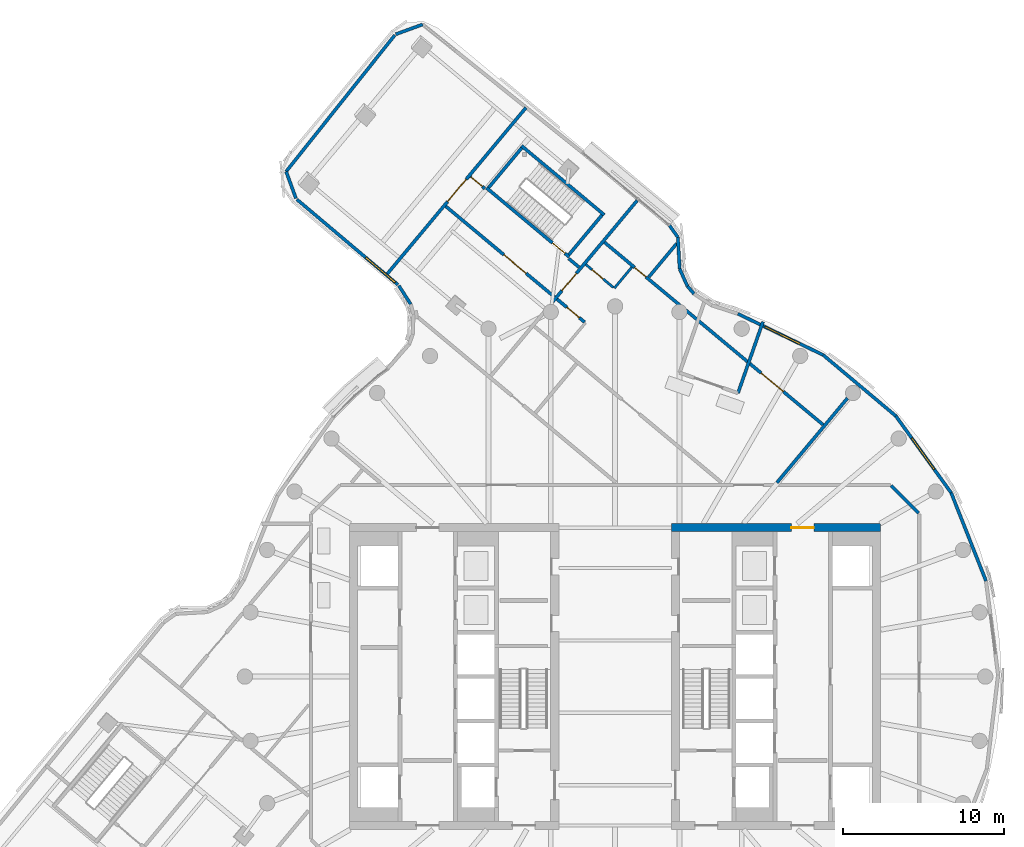
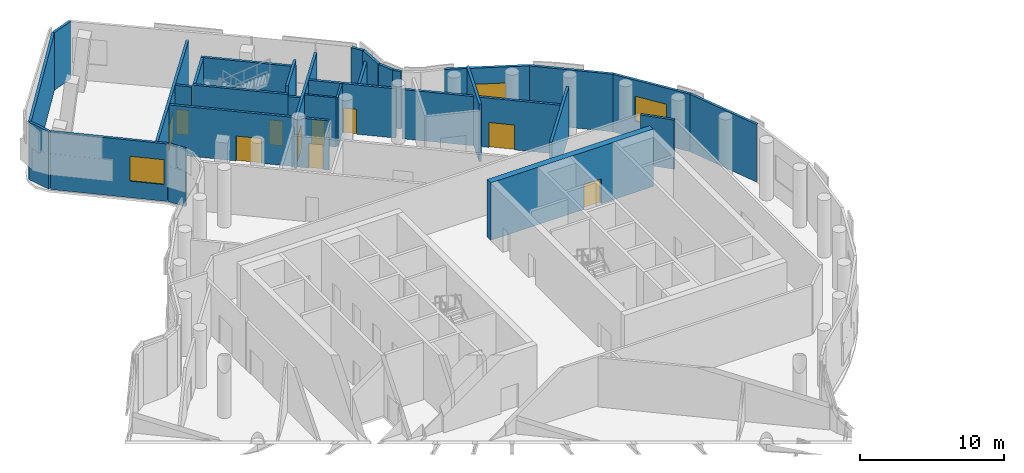
# One storey, part 11 of 19: 31 walls, 10 doors, 3 windows, 13 openings.
"""IFC4 building model written with IfcOpenShell, lengths in metres."""

from ifc_helpers import new_model, si_unit, direction, frame, frame_2d, origin, place, context, subcontext, project, spatial, polyline, rectangle, outline, extrude, material, layer, layer_set, type_object, element, fill, save


model = new_model("IFC4")

# Units and contexts
model_context = context("Model", 3, precision=1e-05, world=origin(), true_north=direction((0.0, 1.0)))
body_context = subcontext(model_context, "Body", "Model", "MODEL_VIEW")
ifc_project = project(units=[si_unit("LENGTHUNIT", "METRE"), si_unit("AREAUNIT", "SQUARE_METRE"), si_unit("VOLUMEUNIT", "CUBIC_METRE"), si_unit("PLANEANGLEUNIT", "RADIAN"), si_unit("MASSUNIT", "GRAM", prefix="KILO")], contexts=[model_context])

# Site, building, storey
site_placement = place(None, origin())
site = spatial("IfcSite", under=ifc_project, at=site_placement, CompositionType="ELEMENT")
building_placement = place(site_placement, origin())
building = spatial("IfcBuilding", under=site, at=building_placement, Name="Tamarind Cross Interchange Tower", CompositionType="ELEMENT")
storey_placement = place(building_placement, frame((0.0, 0.0, 214.89990234375)))
storey = spatial("IfcBuildingStorey", under=building, at=storey_placement, Name="L54", CompositionType="ELEMENT", Elevation=214.89990234375)

# Wall
ifc_material_1 = material(Name="Concrete C40", Category="concrete")
ifc_layer_1 = layer(ifc_material_1, 0.199951171875)
ifc_layer_set_1 = layer_set([ifc_layer_1], Name="Concrete C40")
wall_type_1 = type_object("IfcWallType", Name="Balcony and garden door wall", PredefinedType="SOLIDWALL", material=ifc_layer_set_1)
wall_1_placement = place(storey_placement, frame((7.633544921875, 17.6083984375, 0.0), z_axis=(0.0, 0.0, 1.0), x_axis=(0.330366613527, 0.943852690131, 0.0)))
element("IfcWall", 1, at=wall_1_placement, inside=storey, type_object=wall_type_1, Name="EXW-L54-WG-L54-SNb-R0", PredefinedType="SOLIDWALL", context=body_context, shape_type="SweptSolid", body=[
    extrude(rectangle(XDim=4.7021484375, YDim=0.199951171875, at=frame_2d((2.35107421875, 0.0))), origin(), (0.0, 0.0, 1.0), 4.860107421875),
])

# Wall, opening, door
ifc_material_2 = material(Name="Concrete C55", Category="concrete")
ifc_layer_2 = layer(ifc_material_2, 0.5)
ifc_layer_set_2 = layer_set([ifc_layer_2], Name="Concrete C55")
wall_type_2 = type_object("IfcWallType", Name="Core wall 500 mm Concrete C55", PredefinedType="SHEAR", material=ifc_layer_set_2)
wall_2_placement = place(storey_placement, frame((16.5, 9.25, 0.0), z_axis=(0.0, 0.0, 1.0), x_axis=(-1.0, 0.0, 0.0)))
wall_2 = element("IfcWall", 2, at=wall_2_placement, inside=storey, type_object=wall_type_2, Name="Core wall CWL-L54-E-NE", PredefinedType="SHEAR", context=body_context, shape_type="SweptSolid", body=[
    extrude(rectangle(XDim=13.0, YDim=0.5, at=frame_2d((6.5, 0.0))), origin(), (0.0, 0.0, 1.0), 4.860107421875),
])
opening_1_placement = place(wall_2_placement, frame((4.14990234375, 0.0, 0.0)))
opening_1 = element("IfcOpeningElement", 3, at=opening_1_placement, cuts=wall_2, Name="Opening DCE31", PredefinedType="OPENING", context=body_context, shape_type="SweptSolid", body=[
    extrude(rectangle(XDim=1.39990234375, YDim=2.10009765625, at=frame_2d((0.699951171875, 1.050048828125))), frame((0.0, 0.260009765625, 0.0), z_axis=(0.0, -1.0, 0.0), x_axis=(1.0, 0.0, 0.0)), (0.0, 0.0, 1.0), 0.52001953125),
])
ifc_material_3 = material(Name="Steel, fire-resisting", Category="steel")
door_type_1 = type_object("IfcDoorType", Name="Core fire door 1400 x 2100 FD90", OperationType="SINGLE_SWING_LEFT", PredefinedType="DOOR", material=ifc_material_3)
door_1_placement = place(opening_1_placement, origin())
door_1 = element("IfcDoor", 4, at=door_1_placement, inside=storey, type_object=door_type_1, Name="L54 lift hall exit door", OperationType="SINGLE_SWING_LEFT", OverallHeight=2.10009765625, OverallWidth=1.39990234375, PredefinedType="DOOR", context=body_context, shape_type="SweptSolid", body=[
    extrude(rectangle(XDim=1.39990234375, YDim=2.10009765625, at=frame_2d((0.699951171875, 1.050048828125))), frame((0.0, 0.02490234375, 0.0), z_axis=(0.0, -1.0, 0.0), x_axis=(1.0, 0.0, 0.0)), (0.0, 0.0, 1.0), 0.050048828125),
])
fill(opening_1, door_1)

ifc_material_4 = material(Name="Gypsum board partition on steel studs", Category="steel")
ifc_layer_3 = layer(ifc_material_4, 0.14990234375)
ifc_layer_set_3 = layer_set([ifc_layer_3], Name="Gypsum board partition on steel studs")
wall_type_3 = type_object("IfcWallType", Name="Partition 150 mm EI 120", PredefinedType="PARTITIONING", material=ifc_layer_set_3)
wall_3_placement = place(storey_placement, frame((-1.815185546875, 25.598876953125, 0.0), z_axis=(0.0, 0.0, 1.0), x_axis=(0.767616896799, -0.640908963698, 0.0)))
wall_3 = element("IfcWall", 5, at=wall_3_placement, inside=storey, type_object=wall_type_3, Name="Partition L54-017", PredefinedType="PARTITIONING", context=body_context, shape_type="SweptSolid", body=[
    extrude(rectangle(XDim=2.2197265625, YDim=0.14990234375, at=frame_2d((1.10986328125, 0.0))), origin(), (0.0, 0.0, 1.0), 4.16015625),
])
opening_2_placement = place(wall_3_placement, frame((0.5, 0.0, 0.0)))
opening_2 = element("IfcOpeningElement", 6, at=opening_2_placement, cuts=wall_3, Name="Opening D10", PredefinedType="OPENING", context=body_context, shape_type="SweptSolid", body=[
    extrude(rectangle(XDim=0.89990234375, YDim=2.10009765625, at=frame_2d((0.449951171875, 1.050048828125))), frame((0.0, 0.0849609375, 0.0), z_axis=(0.0, -1.0, 0.0), x_axis=(1.0, 0.0, 0.0)), (0.0, 0.0, 1.0), 0.169921875),
])
ifc_material_5 = material(Name="Fire-resisting door set")
door_type_2 = type_object("IfcDoorType", Name="Interior door 900 x 2100 FD60S", OperationType="SINGLE_SWING_LEFT", PredefinedType="DOOR", material=ifc_material_5)
door_2_placement = place(opening_2_placement, origin())
door_2 = element("IfcDoor", 7, at=door_2_placement, inside=storey, type_object=door_type_2, Name="Door D10", OperationType="SINGLE_SWING_RIGHT", OverallHeight=2.10009765625, OverallWidth=0.89990234375, PredefinedType="DOOR", context=body_context, shape_type="SweptSolid", body=[
    extrude(rectangle(XDim=0.89990234375, YDim=2.10009765625, at=frame_2d((0.449951171875, 1.050048828125))), frame((0.0, 0.02490234375, 0.0), z_axis=(0.0, -1.0, 0.0), x_axis=(1.0, 0.0, 0.0)), (0.0, 0.0, 1.0), 0.050048828125),
])
fill(opening_2, door_2)

# Walls
wall_4_placement = place(storey_placement, frame((-0.05078125, 24.12548828125, 0.0), z_axis=(0.0, 0.0, 1.0), x_axis=(0.640565579042, 0.76790346981, 0.0)))
element("IfcWall", 8, at=wall_4_placement, inside=storey, type_object=wall_type_3, Name="Partition L54-041", PredefinedType="PARTITIONING", context=body_context, shape_type="SweptSolid", body=[
    extrude(rectangle(XDim=1.70068359375, YDim=0.14990234375, at=frame_2d((0.850341796875, 0.0))), origin(), (0.0, 0.0, 1.0), 4.16015625),
])
ifc_layer_4 = layer(ifc_material_4, 0.199951171875)
ifc_layer_set_4 = layer_set([ifc_layer_4], Name="Gypsum board partition on steel studs")
wall_type_4 = type_object("IfcWallType", Name="Partition 200 mm EI 180", PredefinedType="PARTITIONING", material=ifc_layer_set_4)
wall_5_placement = place(storey_placement, frame((17.142333984375, 11.857666015625, 0.0), z_axis=(0.0, 0.0, 1.0), x_axis=(0.707106781187, -0.707106781187, 0.0)))
element("IfcWall", 9, at=wall_5_placement, inside=storey, type_object=wall_type_4, Name="Partition L54-003", PredefinedType="PARTITIONING", context=body_context, shape_type="SweptSolid", body=[
    extrude(rectangle(XDim=2.42578125, YDim=0.199951171875, at=frame_2d((1.212890625, 0.0))), origin(), (0.0, 0.0, 1.0), 4.16015625),
])

# Wall, openings, doors
wall_6_placement = place(storey_placement, frame((-10.519287109375, 29.216796875, 0.0), z_axis=(0.0, 0.0, 1.0), x_axis=(0.767759961509, -0.640737576161, 0.0)))
wall_6 = element("IfcWall", 10, at=wall_6_placement, inside=storey, type_object=wall_type_4, Name="Partition L54-012", PredefinedType="PARTITIONING", context=body_context, shape_type="SweptSolid", body=[
    extrude(rectangle(XDim=11.239990234375, YDim=0.199951171875, at=frame_2d((5.6201171875, 0.0))), origin(), (0.0, 0.0, 1.0), 4.16015625),
])
opening_3_placement = place(wall_6_placement, frame((9.80029296875, 0.0, 0.0)))
opening_3 = element("IfcOpeningElement", 11, at=opening_3_placement, cuts=wall_6, Name="Opening D05", PredefinedType="OPENING", context=body_context, shape_type="SweptSolid", body=[
    extrude(rectangle(XDim=1.0, YDim=2.10009765625, at=frame_2d((0.5, 1.050048828125))), frame((0.0, 0.10986328125, 0.0), z_axis=(0.0, -1.0, 0.0), x_axis=(1.0, 0.0, 0.0)), (0.0, 0.0, 1.0), 0.219970703125),
])
opening_4_placement = place(wall_6_placement, frame((4.699951171875, 0.0, 0.0)))
opening_4 = element("IfcOpeningElement", 12, at=opening_4_placement, cuts=wall_6, Name="Opening D06", PredefinedType="OPENING", context=body_context, shape_type="SweptSolid", body=[
    extrude(rectangle(XDim=1.800048828125, YDim=2.10009765625, at=frame_2d((0.89990234375, 1.050048828125))), frame((0.0, 0.10986328125, 0.0), z_axis=(0.0, -1.0, 0.0), x_axis=(1.0, 0.0, 0.0)), (0.0, 0.0, 1.0), 0.219970703125),
])
door_type_3 = type_object("IfcDoorType", Name="Interior door 1000 x 2100 FD120S", OperationType="SINGLE_SWING_LEFT", PredefinedType="DOOR", material=ifc_material_5)
door_3_placement = place(opening_3_placement, frame((1.0, 0.0, 0.0), z_axis=(0.0, 0.0, 1.0), x_axis=(-1.0, 0.0, 0.0)))
door_3 = element("IfcDoor", 13, at=door_3_placement, inside=storey, type_object=door_type_3, Name="Door D05", OperationType="SINGLE_SWING_RIGHT", OverallHeight=2.10009765625, OverallWidth=1.0, PredefinedType="DOOR", context=body_context, shape_type="SweptSolid", body=[
    extrude(rectangle(XDim=1.0, YDim=2.10009765625, at=frame_2d((0.5, 1.050048828125))), frame((0.0, 0.02490234375, 0.0), z_axis=(0.0, -1.0, 0.0), x_axis=(1.0, 0.0, 0.0)), (0.0, 0.0, 1.0), 0.050048828125),
])
fill(opening_3, door_3)
door_type_4 = type_object("IfcDoorType", Name="Interior door 1800 x 2100 FD120S", OperationType="DOUBLE_DOOR_SINGLE_SWING", PredefinedType="DOOR", material=ifc_material_5)
door_4_placement = place(opening_4_placement, frame((1.800048828125, 0.0, 0.0), z_axis=(0.0, 0.0, 1.0), x_axis=(-1.0, 0.0, 0.0)))
door_4 = element("IfcDoor", 14, at=door_4_placement, inside=storey, type_object=door_type_4, Name="Door D06", OperationType="DOUBLE_DOOR_SINGLE_SWING", OverallHeight=2.10009765625, OverallWidth=1.800048828125, PredefinedType="DOOR", context=body_context, shape_type="SweptSolid", body=[
    extrude(rectangle(XDim=1.800048828125, YDim=2.10009765625, at=frame_2d((0.89990234375, 1.050048828125))), frame((0.0, 0.02490234375, 0.0), z_axis=(0.0, -1.0, 0.0), x_axis=(1.0, 0.0, 0.0)), (0.0, 0.0, 1.0), 0.050048828125),
])
fill(opening_4, door_4)

# Wall, opening, door
wall_7_placement = place(storey_placement, frame((-8.981201171875, 31.058837890625, 0.0), z_axis=(0.0, 0.0, 1.0), x_axis=(0.767720658374, -0.640784667971, 0.0)))
wall_7 = element("IfcWall", 15, at=wall_7_placement, inside=storey, type_object=wall_type_4, Name="Partition L54-013", PredefinedType="PARTITIONING", context=body_context, shape_type="SweptSolid", body=[
    extrude(rectangle(XDim=1.15966796875, YDim=0.199951171875, at=frame_2d((0.579833984375, 0.0))), origin(), (0.0, 0.0, 1.0), 4.16015625),
])
opening_5_placement = place(wall_7_placement, frame((0.050048828125, 0.0, 0.0)))
opening_5 = element("IfcOpeningElement", 16, at=opening_5_placement, cuts=wall_7, Name="Opening D07", PredefinedType="OPENING", context=body_context, shape_type="SweptSolid", body=[
    extrude(rectangle(XDim=0.89990234375, YDim=2.10009765625, at=frame_2d((0.449951171875, 1.050048828125))), frame((0.0, 0.10986328125, 0.0), z_axis=(0.0, -1.0, 0.0), x_axis=(1.0, 0.0, 0.0)), (0.0, 0.0, 1.0), 0.219970703125),
])
door_type_5 = type_object("IfcDoorType", Name="Interior door 900 x 2100 FD120S", OperationType="SINGLE_SWING_LEFT", PredefinedType="DOOR", material=ifc_material_5)
door_5_placement = place(opening_5_placement, origin())
door_5 = element("IfcDoor", 17, at=door_5_placement, inside=storey, type_object=door_type_5, Name="Door D07", OperationType="SINGLE_SWING_RIGHT", OverallHeight=2.10009765625, OverallWidth=0.89990234375, PredefinedType="DOOR", context=body_context, shape_type="SweptSolid", body=[
    extrude(rectangle(XDim=0.89990234375, YDim=2.10009765625, at=frame_2d((0.449951171875, 1.050048828125))), frame((0.0, 0.02490234375, 0.0), z_axis=(0.0, -1.0, 0.0), x_axis=(1.0, 0.0, 0.0)), (0.0, 0.0, 1.0), 0.050048828125),
])
fill(opening_5, door_5)

# Wall
wall_8_placement = place(storey_placement, frame((-2.885498046875, 25.971435546875, 0.0), z_axis=(0.0, 0.0, 1.0), x_axis=(0.767840279937, -0.640641322822, 0.0)))
element("IfcWall", 18, at=wall_8_placement, inside=storey, type_object=wall_type_4, Name="Partition L54-014", PredefinedType="PARTITIONING", context=body_context, shape_type="SweptSolid", body=[
    extrude(rectangle(XDim=0.840576171875, YDim=0.199951171875, at=frame_2d((0.42041015625, 0.0))), origin(), (0.0, 0.0, 1.0), 4.16015625),
])

# Wall, opening, door
wall_9_placement = place(storey_placement, frame((-0.662109375, 26.98095703125, 0.0), z_axis=(0.0, 0.0, 1.0), x_axis=(0.767770033975, -0.640725506695, 0.0)))
wall_9 = element("IfcWall", 19, at=wall_9_placement, inside=storey, type_object=wall_type_4, Name="Partition L54-018", PredefinedType="PARTITIONING", context=body_context, shape_type="SweptSolid", body=[
    extrude(rectangle(XDim=6.12255859375, YDim=0.199951171875, at=frame_2d((3.061279296875, 0.0))), origin(), (0.0, 0.0, 1.0), 4.16015625),
])
opening_6_placement = place(wall_9_placement, frame((2.450439453125, 0.0, 0.0)))
opening_6 = element("IfcOpeningElement", 20, at=opening_6_placement, cuts=wall_9, Name="Opening D11", PredefinedType="OPENING", context=body_context, shape_type="SweptSolid", body=[
    extrude(rectangle(XDim=0.89990234375, YDim=2.10009765625, at=frame_2d((0.449951171875, 1.050048828125))), frame((0.0, 0.10986328125, 0.0), z_axis=(0.0, -1.0, 0.0), x_axis=(1.0, 0.0, 0.0)), (0.0, 0.0, 1.0), 0.219970703125),
])
door_6_placement = place(opening_6_placement, origin())
door_6 = element("IfcDoor", 21, at=door_6_placement, inside=storey, type_object=door_type_5, Name="Door D11", OperationType="SINGLE_SWING_RIGHT", OverallHeight=2.10009765625, OverallWidth=0.89990234375, PredefinedType="DOOR", context=body_context, shape_type="SweptSolid", body=[
    extrude(rectangle(XDim=0.89990234375, YDim=2.10009765625, at=frame_2d((0.449951171875, 1.050048828125))), frame((0.0, 0.02490234375, 0.0), z_axis=(0.0, -1.0, 0.0), x_axis=(1.0, 0.0, 0.0)), (0.0, 0.0, 1.0), 0.050048828125),
])
fill(opening_6, door_6)

wall_10_placement = place(storey_placement, frame((4.384033203125, 22.769775390625, 0.0), z_axis=(0.0, 0.0, 1.0), x_axis=(0.767777908079, -0.640716071178, 0.0)))
wall_10 = element("IfcWall", 22, at=wall_10_placement, inside=storey, type_object=wall_type_4, Name="Partition L54-019", PredefinedType="PARTITIONING", context=body_context, shape_type="SweptSolid", body=[
    extrude(rectangle(XDim=11.10791015625, YDim=0.199951171875, at=frame_2d((5.553955078125, 0.0))), origin(), (0.0, 0.0, 1.0), 4.16015625),
])
opening_7_placement = place(wall_10_placement, frame((6.105712890625, 0.0, 0.0)))
opening_7 = element("IfcOpeningElement", 23, at=opening_7_placement, cuts=wall_10, Name="Opening D12", PredefinedType="OPENING", context=body_context, shape_type="SweptSolid", body=[
    extrude(rectangle(XDim=1.800048828125, YDim=2.10009765625, at=frame_2d((0.89990234375, 1.050048828125))), frame((0.0, 0.10986328125, 0.0), z_axis=(0.0, -1.0, 0.0), x_axis=(1.0, 0.0, 0.0)), (0.0, 0.0, 1.0), 0.219970703125),
])
door_7_placement = place(opening_7_placement, origin())
door_7 = element("IfcDoor", 24, at=door_7_placement, inside=storey, type_object=door_type_4, Name="Door D12", OperationType="DOUBLE_DOOR_SINGLE_SWING", OverallHeight=2.10009765625, OverallWidth=1.800048828125, PredefinedType="DOOR", context=body_context, shape_type="SweptSolid", body=[
    extrude(rectangle(XDim=1.800048828125, YDim=2.10009765625, at=frame_2d((0.89990234375, 1.050048828125))), frame((0.0, 0.02490234375, 0.0), z_axis=(0.0, -1.0, 0.0), x_axis=(1.0, 0.0, 0.0)), (0.0, 0.0, 1.0), 0.050048828125),
])
fill(opening_7, door_7)

wall_11_placement = place(storey_placement, frame((-14.145263671875, 25.02783203125, 0.0), z_axis=(0.0, 0.0, 1.0), x_axis=(0.640714977606, 0.767778820671, 0.0)))
wall_11 = element("IfcWall", 25, at=wall_11_placement, inside=storey, type_object=wall_type_4, Name="Partition L54-035", PredefinedType="PARTITIONING", context=body_context, shape_type="SweptSolid", body=[
    extrude(rectangle(XDim=13.438232421875, YDim=0.199951171875, at=frame_2d((6.71923828125, 0.0))), origin(), (0.0, 0.0, 1.0), 4.16015625),
])
opening_8_placement = place(wall_11_placement, frame((5.839599609375, 0.0, 0.0)))
opening_8 = element("IfcOpeningElement", 26, at=opening_8_placement, cuts=wall_11, Name="Opening D23", PredefinedType="OPENING", context=body_context, shape_type="SweptSolid", body=[
    extrude(rectangle(XDim=1.800048828125, YDim=2.10009765625, at=frame_2d((0.89990234375, 1.050048828125))), frame((0.0, 0.10986328125, 0.0), z_axis=(0.0, -1.0, 0.0), x_axis=(1.0, 0.0, 0.0)), (0.0, 0.0, 1.0), 0.219970703125),
])
door_8_placement = place(opening_8_placement, origin())
door_8 = element("IfcDoor", 27, at=door_8_placement, inside=storey, type_object=door_type_4, Name="Door D23", OperationType="DOUBLE_DOOR_SINGLE_SWING", OverallHeight=2.10009765625, OverallWidth=1.800048828125, PredefinedType="DOOR", context=body_context, shape_type="SweptSolid", body=[
    extrude(rectangle(XDim=1.800048828125, YDim=2.10009765625, at=frame_2d((0.89990234375, 1.050048828125))), frame((0.0, 0.02490234375, 0.0), z_axis=(0.0, -1.0, 0.0), x_axis=(1.0, 0.0, 0.0)), (0.0, 0.0, 1.0), 0.050048828125),
])
fill(opening_8, door_8)

wall_12_placement = place(storey_placement, frame((-3.876708984375, 23.2861328125, 0.0), z_axis=(0.0, 0.0, 1.0), x_axis=(0.640673591949, 0.767813355302, 0.0)))
wall_12 = element("IfcWall", 28, at=wall_12_placement, inside=storey, type_object=wall_type_4, Name="Partition L54-037", PredefinedType="PARTITIONING", context=body_context, shape_type="SweptSolid", body=[
    extrude(rectangle(XDim=8.195556640625, YDim=0.199951171875, at=frame_2d((4.09765625, 0.0))), origin(), (0.0, 0.0, 1.0), 4.16015625),
])
opening_9_placement = place(wall_12_placement, frame((0.897216796875, 0.0, 0.0)))
opening_9 = element("IfcOpeningElement", 29, at=opening_9_placement, cuts=wall_12, Name="Opening D24", PredefinedType="OPENING", context=body_context, shape_type="SweptSolid", body=[
    extrude(rectangle(XDim=1.39990234375, YDim=2.10009765625, at=frame_2d((0.699951171875, 1.050048828125))), frame((0.0, 0.10986328125, 0.0), z_axis=(0.0, -1.0, 0.0), x_axis=(1.0, 0.0, 0.0)), (0.0, 0.0, 1.0), 0.219970703125),
])
door_type_6 = type_object("IfcDoorType", Name="Interior door 1400 x 2100 FD120S", OperationType="DOUBLE_DOOR_SINGLE_SWING", PredefinedType="DOOR", material=ifc_material_5)
door_9_placement = place(opening_9_placement, frame((1.39990234375, 0.0, 0.0), z_axis=(0.0, 0.0, 1.0), x_axis=(-1.0, 0.0, 0.0)))
door_9 = element("IfcDoor", 30, at=door_9_placement, inside=storey, type_object=door_type_6, Name="Door D24", OperationType="DOUBLE_DOOR_SINGLE_SWING", OverallHeight=2.10009765625, OverallWidth=1.39990234375, PredefinedType="DOOR", context=body_context, shape_type="SweptSolid", body=[
    extrude(rectangle(XDim=1.39990234375, YDim=2.10009765625, at=frame_2d((0.699951171875, 1.050048828125))), frame((0.0, 0.02490234375, 0.0), z_axis=(0.0, -1.0, 0.0), x_axis=(1.0, 0.0, 0.0)), (0.0, 0.0, 1.0), 0.050048828125),
])
fill(opening_9, door_9)

# Walls
wall_13_placement = place(storey_placement, frame((2.10107421875, 24.830810546875, 0.0), z_axis=(0.0, 0.0, 1.0), x_axis=(0.640706543974, 0.767785858497, 0.0)))
element("IfcWall", 31, at=wall_13_placement, inside=storey, type_object=wall_type_4, Name="Partition L54-039", PredefinedType="PARTITIONING", context=body_context, shape_type="SweptSolid", body=[
    extrude(rectangle(XDim=2.712646484375, YDim=0.199951171875, at=frame_2d((1.3564453125, 0.0))), origin(), (0.0, 0.0, 1.0), 4.16015625),
])
wall_14_placement = place(storey_placement, frame((10.0537109375, 12.0458984375, 0.0), z_axis=(0.0, 0.0, 1.0), x_axis=(0.640840216636, 0.767674290792, 0.0)))
element("IfcWall", 32, at=wall_14_placement, inside=storey, type_object=wall_type_4, Name="Partition L54-046", PredefinedType="PARTITIONING", context=body_context, shape_type="SweptSolid", body=[
    extrude(rectangle(XDim=6.844970703125, YDim=0.199951171875, at=frame_2d((3.42236328125, 0.0))), origin(), (0.0, 0.0, 1.0), 4.16015625),
])
ifc_material_6 = material(Name="Precast concrete C40", Category="concrete")
ifc_layer_5 = layer(ifc_material_6, 0.199951171875)
ifc_layer_set_5 = layer_set([ifc_layer_5], Name="Precast concrete C40")
wall_type_5 = type_object("IfcWallType", Name="Refuge level external wall", PredefinedType="SOLIDWALL", material=ifc_layer_set_5)
wall_15_placement = place(storey_placement, frame((23.042236328125, 5.940673828125, 0.0), z_axis=(0.0, 0.0, 1.0), x_axis=(-0.367490392853, 0.930027317427, 0.0)))
element("IfcWall", 33, at=wall_15_placement, inside=storey, type_object=wall_type_5, Name="RFW-L54-06-010", PredefinedType="SOLIDWALL", context=body_context, shape_type="SweptSolid", body=[
    extrude(rectangle(XDim=5.88671875, YDim=0.199951171875, at=frame_2d((2.943359375, 0.0))), origin(), (0.0, 0.0, 1.0), 4.860107421875),
])

# Wall, opening, window
wall_16_placement = place(storey_placement, frame((20.87890625, 11.41552734375, 0.0), z_axis=(0.0, 0.0, 1.0), x_axis=(-0.584595301263, 0.811325048141, 0.0)))
wall_16 = element("IfcWall", 34, at=wall_16_placement, inside=storey, type_object=wall_type_5, Name="RFW-L54-06-011", PredefinedType="SOLIDWALL", context=body_context, shape_type="SweptSolid", body=[
    extrude(rectangle(XDim=5.88671875, YDim=0.199951171875, at=frame_2d((2.943359375, 0.0))), origin(), (0.0, 0.0, 1.0), 4.860107421875),
])
opening_10_placement = place(wall_16_placement, frame((1.7900390625, 0.0, 1.39990234375)))
opening_10 = element("IfcOpeningElement", 35, at=opening_10_placement, cuts=wall_16, Name="Opening W3", PredefinedType="OPENING", context=body_context, shape_type="SweptSolid", body=[
    extrude(rectangle(XDim=2.39990234375, YDim=2.10009765625, at=frame_2d((1.199951171875, 1.050048828125))), frame((0.0, 0.10986328125, 0.0), z_axis=(0.0, -1.0, 0.0), x_axis=(1.0, 0.0, 0.0)), (0.0, 0.0, 1.0), 0.219970703125),
])
ifc_material_7 = material(Name="Aluminium and fire-resisting glass", Category="aluminium")
window_type = type_object("IfcWindowType", Name="Refuge rescue window", PartitioningType="DOUBLE_PANEL_VERTICAL", PredefinedType="WINDOW", material=ifc_material_7)
window_1_placement = place(opening_10_placement, origin())
window_1 = element("IfcWindow", 36, at=window_1_placement, inside=storey, type_object=window_type, Name="RSW-L54-06-08", OverallHeight=2.10009765625, OverallWidth=2.39990234375, PartitioningType="SINGLE_PANEL", PredefinedType="WINDOW", context=body_context, shape_type="SweptSolid", body=[
    extrude(rectangle(XDim=2.39990234375, YDim=2.10009765625, at=frame_2d((1.199951171875, 1.050048828125))), frame((0.0, 0.030029296875, 0.0), z_axis=(0.0, -1.0, 0.0), x_axis=(1.0, 0.0, 0.0)), (0.0, 0.0, 1.0), 0.06005859375),
])
fill(opening_10, window_1)

# Wall
wall_17_placement = place(storey_placement, frame((17.4375, 16.191650390625, 0.0), z_axis=(0.0, 0.0, 1.0), x_axis=(-0.765856810589, 0.643011155171, 0.0)))
element("IfcWall", 37, at=wall_17_placement, inside=storey, type_object=wall_type_5, Name="RFW-L54-06-012", PredefinedType="SOLIDWALL", context=body_context, shape_type="SweptSolid", body=[
    extrude(rectangle(XDim=5.88671875, YDim=0.199951171875, at=frame_2d((2.943359375, 0.0))), origin(), (0.0, 0.0, 1.0), 4.860107421875),
])

# Wall, opening, window
wall_18_placement = place(storey_placement, frame((12.92919921875, 19.976806640625, 0.0), z_axis=(0.0, 0.0, 1.0), x_axis=(-0.900284518019, 0.435301948785, 0.0)))
wall_18 = element("IfcWall", 38, at=wall_18_placement, inside=storey, type_object=wall_type_5, Name="RFW-L54-06-013", PredefinedType="SOLIDWALL", context=body_context, shape_type="SweptSolid", body=[
    extrude(rectangle(XDim=5.889404296875, YDim=0.199951171875, at=frame_2d((2.94482421875, 0.0))), origin(), (0.0, 0.0, 1.0), 4.860107421875),
])
opening_11_placement = place(wall_18_placement, frame((1.6298828125, 0.0, 1.39990234375)))
opening_11 = element("IfcOpeningElement", 39, at=opening_11_placement, cuts=wall_18, Name="Opening W3", PredefinedType="OPENING", context=body_context, shape_type="SweptSolid", body=[
    extrude(rectangle(XDim=2.39990234375, YDim=2.10009765625, at=frame_2d((1.199951171875, 1.050048828125))), frame((0.0, 0.10986328125, 0.0), z_axis=(0.0, -1.0, 0.0), x_axis=(1.0, 0.0, 0.0)), (0.0, 0.0, 1.0), 0.219970703125),
])
window_2_placement = place(opening_11_placement, origin())
window_2 = element("IfcWindow", 40, at=window_2_placement, inside=storey, type_object=window_type, Name="RSW-L54-06-10", OverallHeight=2.10009765625, OverallWidth=2.39990234375, PartitioningType="SINGLE_PANEL", PredefinedType="WINDOW", context=body_context, shape_type="SweptSolid", body=[
    extrude(rectangle(XDim=2.39990234375, YDim=2.10009765625, at=frame_2d((1.199951171875, 1.050048828125))), frame((0.0, 0.030029296875, 0.0), z_axis=(0.0, -1.0, 0.0), x_axis=(1.0, 0.0, 0.0)), (0.0, 0.0, 1.0), 0.06005859375),
])
fill(opening_11, window_2)

# Walls
wall_19_placement = place(storey_placement, frame((4.89697265625, 23.782958984375, 0.0), z_axis=(0.0, 0.0, 1.0), x_axis=(-0.651417628254, 0.758719364192, 0.0)))
element("IfcWall", 41, at=wall_19_placement, inside=storey, type_object=wall_type_5, Name="RFW-L54-06-016", PredefinedType="SOLIDWALL", context=body_context, shape_type="SweptSolid", body=[
    extrude(rectangle(XDim=0.60986328125, YDim=0.199951171875, at=frame_2d((0.304931640625, 0.0))), origin(), (0.0, 0.0, 1.0), 4.860107421875),
])
wall_20_placement = place(storey_placement, frame((4.499755859375, 24.24560546875, 0.0), z_axis=(0.0, 0.0, 1.0), x_axis=(-0.411322207494, 0.911490011806, 0.0)))
element("IfcWall", 42, at=wall_20_placement, inside=storey, type_object=wall_type_5, Name="RFW-L54-06-017", PredefinedType="SOLIDWALL", context=body_context, shape_type="SweptSolid", body=[
    extrude(rectangle(XDim=1.18701171875, YDim=0.199951171875, at=frame_2d((0.593505859375, 0.0))), origin(), (0.0, 0.0, 1.0), 4.860107421875),
])
wall_21_placement = place(storey_placement, frame((4.011474609375, 25.32763671875, 0.0), z_axis=(0.0, 0.0, 1.0), x_axis=(-0.057109766027, 0.998367905446, 0.0)))
element("IfcWall", 43, at=wall_21_placement, inside=storey, type_object=wall_type_5, Name="RFW-L54-06-018", PredefinedType="SOLIDWALL", context=body_context, shape_type="SweptSolid", body=[
    extrude(rectangle(XDim=1.970703125, YDim=0.199951171875, at=frame_2d((0.9853515625, 0.0))), origin(), (0.0, 0.0, 1.0), 4.860107421875),
])
wall_22_placement = place(storey_placement, frame((3.89892578125, 27.295166015625, 0.0), z_axis=(0.0, 0.0, 1.0), x_axis=(-0.580599391883, 0.814189379779, 0.0)))
element("IfcWall", 44, at=wall_22_placement, inside=storey, type_object=wall_type_5, Name="RFW-L54-06-019", PredefinedType="SOLIDWALL", context=body_context, shape_type="SweptSolid", body=[
    extrude(rectangle(XDim=0.904052734375, YDim=0.199951171875, at=frame_2d((0.4521484375, 0.0))), origin(), (0.0, 0.0, 1.0), 4.860107421875),
])
wall_23_placement = place(storey_placement, frame((-11.955322265625, 40.513671875, 0.0), z_axis=(0.0, 0.0, 1.0), x_axis=(-0.939424603146, -0.342755619945, 0.0)))
element("IfcWall", 45, at=wall_23_placement, inside=storey, type_object=wall_type_5, Name="RFW-L54-07-01", PredefinedType="SOLIDWALL", context=body_context, shape_type="SweptSolid", body=[
    extrude(rectangle(XDim=1.78076171875, YDim=0.199951171875, at=frame_2d((0.890380859375, 0.0))), origin(), (0.0, 0.0, 1.0), 4.860107421875),
])
wall_24_placement = place(storey_placement, frame((-13.6865234375, 39.849609375, 0.0), z_axis=(0.0, 0.0, 1.0), x_axis=(-0.623074903355, -0.78216217296, 0.0)))
element("IfcWall", 46, at=wall_24_placement, inside=storey, type_object=wall_type_5, Name="RFW-L54-08-00", PredefinedType="SOLIDWALL", context=body_context, shape_type="SweptSolid", body=[
    extrude(rectangle(XDim=10.8330078125, YDim=0.199951171875, at=frame_2d((5.41650390625, 0.0))), origin(), (0.0, 0.0, 1.0), 4.860107421875),
])
wall_25_placement = place(storey_placement, frame((-20.436279296875, 31.37646484375, 0.0), z_axis=(0.0, 0.0, 1.0), x_axis=(0.342832454601, -0.939396565925, 0.0)))
element("IfcWall", 47, at=wall_25_placement, inside=storey, type_object=wall_type_5, Name="RFW-L54-08-01", PredefinedType="SOLIDWALL", context=body_context, shape_type="SweptSolid", body=[
    extrude(rectangle(XDim=1.781005859375, YDim=0.199951171875, at=frame_2d((0.890625, 0.0))), origin(), (0.0, 0.0, 1.0), 4.860107421875),
])

# Wall, opening, window
wall_26_placement = place(storey_placement, frame((-19.772216796875, 29.644775390625, 0.0), z_axis=(0.0, 0.0, 1.0), x_axis=(0.764192749459, -0.64498793917, 0.0)))
wall_26 = element("IfcWall", 48, at=wall_26_placement, inside=storey, type_object=wall_type_5, Name="RFW-L54-09-00", PredefinedType="SOLIDWALL", context=body_context, shape_type="SweptSolid", body=[
    extrude(rectangle(XDim=8.22705078125, YDim=0.199951171875, at=frame_2d((4.113525390625, 0.0))), origin(), (0.0, 0.0, 1.0), 4.860107421875),
])
opening_12_placement = place(wall_26_placement, frame((5.60009765625, 0.0, 1.39990234375)))
opening_12 = element("IfcOpeningElement", 49, at=opening_12_placement, cuts=wall_26, Name="Opening W3", PredefinedType="OPENING", context=body_context, shape_type="SweptSolid", body=[
    extrude(rectangle(XDim=2.39990234375, YDim=2.10009765625, at=frame_2d((1.199951171875, 1.050048828125))), frame((0.0, 0.10986328125, 0.0), z_axis=(0.0, -1.0, 0.0), x_axis=(1.0, 0.0, 0.0)), (0.0, 0.0, 1.0), 0.219970703125),
])
window_3_placement = place(opening_12_placement, origin())
window_3 = element("IfcWindow", 50, at=window_3_placement, inside=storey, type_object=window_type, Name="RSW-L54-09-00", OverallHeight=2.10009765625, OverallWidth=2.39990234375, PartitioningType="SINGLE_PANEL", PredefinedType="WINDOW", context=body_context, shape_type="SweptSolid", body=[
    extrude(rectangle(XDim=2.39990234375, YDim=2.10009765625, at=frame_2d((1.199951171875, 1.050048828125))), frame((0.0, 0.030029296875, 0.0), z_axis=(0.0, -1.0, 0.0), x_axis=(1.0, 0.0, 0.0)), (0.0, 0.0, 1.0), 0.06005859375),
])
fill(opening_12, window_3)

# Wall
wall_27_placement = place(storey_placement, frame((-13.438232421875, 24.287353515625, 0.0), z_axis=(0.0, 0.0, 1.0), x_axis=(0.540343058881, -0.841444816205, 0.0)))
element("IfcWall", 51, at=wall_27_placement, inside=storey, type_object=wall_type_5, Name="RFW-L54-10-00", PredefinedType="SOLIDWALL", context=body_context, shape_type="SweptSolid", body=[
    extrude(rectangle(XDim=1.369384765625, YDim=0.199951171875, at=frame_2d((0.6845703125, 0.0))), origin(), (0.0, 0.0, 1.0), 4.860107421875),
])

# Wall, opening, door
ifc_layer_6 = layer(ifc_material_1, 0.199951171875)
ifc_layer_set_6 = layer_set([ifc_layer_6], Name="Concrete C40")
wall_type_6 = type_object("IfcWallType", Name="Stair shaft wall 200 mm Concrete C40", PredefinedType="SHEAR", material=ifc_layer_set_6)
wall_28_placement = place(storey_placement, frame((-2.85205078125, 26.07373046875, -0.179931640625), z_axis=(0.0, 0.0, 1.0), x_axis=(-0.767728232678, 0.640775593129, 0.0)))
wall_28 = element("IfcWall", 52, at=wall_28_placement, inside=storey, type_object=wall_type_6, Name="Core wall CWL-L54-ST4-H", PredefinedType="SHEAR", context=body_context, shape_type="SweptSolid", body=[
    extrude(rectangle(XDim=6.699951171875, YDim=0.199951171875, at=frame_2d((3.35009765625, 0.0))), origin(), (0.0, 0.0, 1.0), 4.444091796875),
])
opening_13_placement = place(wall_28_placement, frame((0.35009765625, 0.0, 0.0)))
opening_13 = element("IfcOpeningElement", 53, at=opening_13_placement, cuts=wall_28, Name="Opening ST4L54", PredefinedType="OPENING", context=body_context, shape_type="SweptSolid", body=[
    extrude(rectangle(XDim=1.0, YDim=2.10009765625, at=frame_2d((0.5, 1.050048828125))), frame((0.0, 0.10986328125, 0.0), z_axis=(0.0, -1.0, 0.0), x_axis=(1.0, 0.0, 0.0)), (0.0, 0.0, 1.0), 0.219970703125),
])
door_type_7 = type_object("IfcDoorType", Name="Core fire door 1000 x 2100 FD90", OperationType="SINGLE_SWING_LEFT", PredefinedType="DOOR", material=ifc_material_3)
door_10_placement = place(opening_13_placement, origin())
door_10 = element("IfcDoor", 54, at=door_10_placement, inside=storey, type_object=door_type_7, Name="L54 stair door ST4", OperationType="SINGLE_SWING_LEFT", OverallHeight=2.10009765625, OverallWidth=1.0, PredefinedType="DOOR", context=body_context, shape_type="SweptSolid", body=[
    extrude(rectangle(XDim=1.0, YDim=2.10009765625, at=frame_2d((0.5, 1.050048828125))), frame((0.0, 0.02490234375, 0.0), z_axis=(0.0, -1.0, 0.0), x_axis=(1.0, 0.0, 0.0)), (0.0, 0.0, 1.0), 0.050048828125),
])
fill(opening_13, door_10)

# Walls
wall_29_placement = place(storey_placement, frame((-0.673583984375, 28.68408203125, -0.179931640625), z_axis=(0.0, 0.0, 1.0), x_axis=(-0.767713270537, 0.640793519195, 0.0)))
element("IfcWall", 55, at=wall_29_placement, inside=storey, type_object=wall_type_6, Name="Core wall CWL-L54-ST4-C", PredefinedType="SHEAR", context=body_context, shape_type="SweptSolid", body=[
    extrude(rectangle(XDim=6.699951171875, YDim=0.199951171875, at=frame_2d((3.35009765625, 0.0))), origin(), (0.0, 0.0, 1.0), 4.444091796875),
])
wall_30_placement = place(storey_placement, frame((-0.814208984375, 28.67138671875, -0.179931640625), z_axis=(0.0, 0.0, 1.0), x_axis=(-0.640777035898, -0.767727028485, 0.0)))
element("IfcWall", 56, at=wall_30_placement, inside=storey, type_object=wall_type_6, Name="Core wall CWL-L54-ST4-CE", PredefinedType="SHEAR", context=body_context, shape_type="SweptSolid", body=[
    extrude(rectangle(XDim=3.2001953125, YDim=0.199951171875, at=frame_2d((1.60009765625, 0.0))), origin(), (0.0, 0.0, 1.0), 5.0400390625),
])
wall_31_placement = place(storey_placement, frame((0.0, 0.0, -0.179931640625)))
element("IfcWall", 57, at=wall_31_placement, inside=storey, type_object=wall_type_6, Name="Core wall CWL-L54-ST4-CF", PredefinedType="SHEAR", context=body_context, shape_type="SweptSolid", body=[
    extrude(outline(polyline([(-5.727783203125, 32.772216796875), (-5.88134765625, 32.900390625), (-7.931884765625, 30.443603515625), (-7.7783203125, 30.315673828125), (-5.727783203125, 32.772216796875)])), origin(), (0.0, 0.0, 1.0), 4.444091796875),
])

save(model, "model.ifc")
